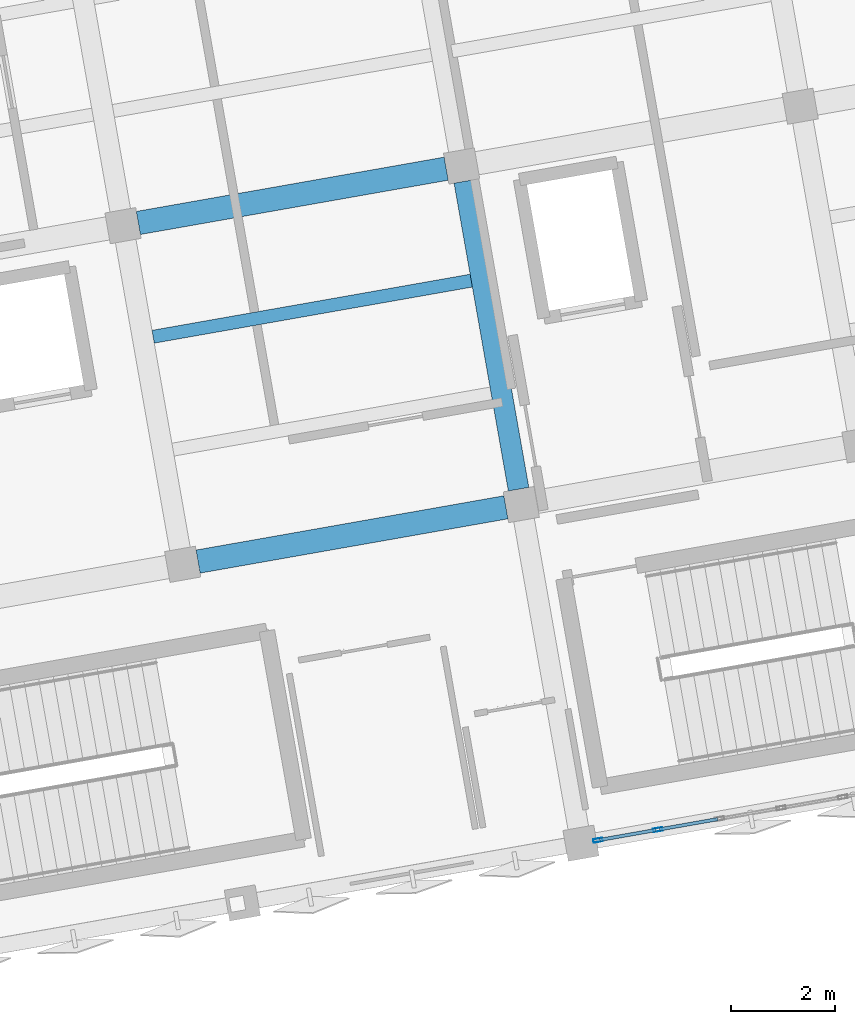
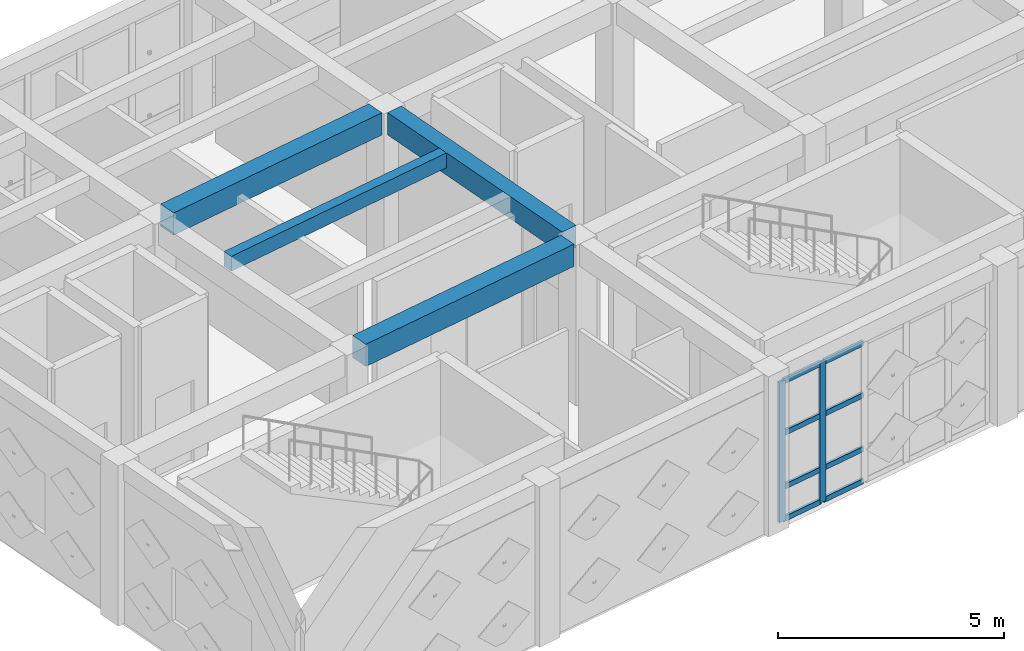
# One storey, part 3 of 36: 10 members, 4 beams, 1 element without a shape of its own.
"""IFC4 building model written with IfcOpenShell, lengths in metres."""

from ifc_helpers import new_model, si_unit, direction, frame, origin, origin_2d, place, context, subcontext, project, spatial, rectangle, hollow_rectangle, extrude, material, layer, layer_set, material_profile, profile_set, type_object, element, aggregate, save


model = new_model("IFC4")

# Units and contexts
model_context = context("Model", 3, precision=1e-05, world=origin(), true_north=direction((0.0, 1.0)))
body_context = subcontext(model_context, "Body", "Model", "MODEL_VIEW")
ifc_project = project(units=[si_unit("LENGTHUNIT", "METRE"), si_unit("AREAUNIT", "SQUARE_METRE"), si_unit("VOLUMEUNIT", "CUBIC_METRE"), si_unit("PLANEANGLEUNIT", "RADIAN"), si_unit("MASSUNIT", "GRAM", prefix="KILO")], contexts=[model_context])

# Site, building, storey
site_placement = place(None, origin())
site = spatial("IfcSite", under=ifc_project, at=site_placement, CompositionType="ELEMENT")
building_placement = place(site_placement, origin())
building = spatial("IfcBuilding", under=site, at=building_placement, Name="Kharisveld Research Institute", CompositionType="ELEMENT")
storey_placement = place(building_placement, frame((0.0, 0.0, 27.60009765625)))
storey = spatial("IfcBuildingStorey", under=building, at=storey_placement, Name="L06", CompositionType="ELEMENT", Elevation=27.60009765625)

# Beams
ifc_material_1 = material(Name="Concrete C40/50", Category="concrete")
ifc_material_profile_1 = material_profile(ifc_material_1, rectangle(XDim=0.39990234375, YDim=0.60009765625, at=origin_2d()))
ifc_profile_set_1 = profile_set([ifc_material_profile_1], Name="Concrete C40/50")
beam_type_1 = type_object("IfcBeamType", Name="BM_RC_400x600", PredefinedType="BEAM", material=ifc_profile_set_1)
beam_1_placement = place(storey_placement, frame((17.001220703125, 44.097412109375, 4.02001953125), z_axis=(-0.173629803561, 0.984810992686, 0.0), x_axis=(-0.984810992686, -0.173629803561, 0.0)))
element("IfcBeam", 1, at=beam_1_placement, inside=storey, type_object=beam_type_1, Name="BM:V1:L06:V2_1", PredefinedType="BEAM", context=body_context, shape_type="SweptSolid", body=[
    extrude(rectangle(XDim=0.39990234375, YDim=0.60009765625, at=origin_2d()), origin(), (0.0, 0.0, 1.0), 5.999755859375),
])
ifc_material_2 = material(Name="Concrete C40/50", Category="concrete")
ifc_material_profile_2 = material_profile(ifc_material_2, rectangle(XDim=0.449951171875, YDim=0.60009765625, at=origin_2d()))
ifc_profile_set_2 = profile_set([ifc_material_profile_2], Name="Concrete C40/50")
beam_type_2 = type_object("IfcBeamType", Name="BM_RC_450x600", PredefinedType="BEAM", material=ifc_profile_set_2)
beam_2_placement = place(storey_placement, frame((10.84912109375, 42.7080078125, 4.02001953125), z_axis=(0.984812219346, 0.173622845926, 0.0), x_axis=(-0.173622845926, 0.984812219346, 0.0)))
element("IfcBeam", 2, at=beam_2_placement, inside=storey, type_object=beam_type_2, Name="BM:V1:L06:U1_1", PredefinedType="BEAM", context=body_context, shape_type="SweptSolid", body=[
    extrude(rectangle(XDim=0.449951171875, YDim=0.60009765625, at=origin_2d()), origin(), (0.0, 0.0, 1.0), 6.0),
])
beam_3_placement = place(storey_placement, frame((9.703125, 49.20751953125, 4.02001953125), z_axis=(0.984804034035, 0.173669267716, 0.0), x_axis=(-0.173669267716, 0.984804034035, 0.0)))
element("IfcBeam", 3, at=beam_3_placement, inside=storey, type_object=beam_type_2, Name="BM:V1:L06:U1_2", PredefinedType="BEAM", context=body_context, shape_type="SweptSolid", body=[
    extrude(rectangle(XDim=0.449951171875, YDim=0.60009765625, at=origin_2d()), origin(), (0.0, 0.0, 1.0), 5.999755859375),
])

# Curtain wall, members
ifc_material_3 = material(Name="Thermally Broken Aluminium Curtain Wall", Category="aluminium")
ifc_layer = layer(ifc_material_3, 0.159912109375)
ifc_layer_set = layer_set([ifc_layer], Name="CW_SYS_01")
curtain_wall_type = type_object("IfcCurtainWallType", Name="CW_SYS_01", PredefinedType="NOTDEFINED", material=ifc_layer_set)
curtain_wall_placement = place(storey_placement, origin())
curtain_wall = element("IfcCurtainWall", 4, at=curtain_wall_placement, inside=storey, type_object=curtain_wall_type, Name="CW:V1:L06:S3", PredefinedType="NOTDEFINED")
ifc_material_4 = material(Name="Anodised Aluminium AW-6063-T6", Category="aluminium")
ifc_material_profile_3 = material_profile(ifc_material_4, hollow_rectangle(XDim=0.070068359375, YDim=0.179931640625, WallThickness=0.00439453125, at=origin_2d()))
ifc_profile_set_3 = profile_set([ifc_material_profile_3], Name="Anodised Aluminium AW-6063-T6")
member_type_1 = type_object("IfcMemberType", Name="CW_MUL_180", PredefinedType="MULLION", material=ifc_profile_set_3)
member_1_placement = place(storey_placement, frame((19.673828125, 37.56201171875, 0.0), z_axis=(0.0, 0.0, 1.0), x_axis=(0.173648210685, -0.98480774719, 0.0)))
member_1 = element("IfcMember", 5, at=member_1_placement, type_object=member_type_1, Name="CW-01 mullion 5", PredefinedType="MULLION", context=body_context, shape_type="SweptSolid", body=[
    extrude(hollow_rectangle(XDim=0.070068359375, YDim=0.179931640625, WallThickness=0.00439453125, at=origin_2d()), origin(), (0.0, 0.0, 1.0), 3.77978515625),
])
member_2_placement = place(storey_placement, frame((18.5244140625, 37.359375, 0.0), z_axis=(0.0, 0.0, 1.0), x_axis=(0.173648210685, -0.98480774719, 0.0)))
member_2 = element("IfcMember", 6, at=member_2_placement, type_object=member_type_1, Name="CW-01 mullion 6", PredefinedType="MULLION", context=body_context, shape_type="SweptSolid", body=[
    extrude(hollow_rectangle(XDim=0.070068359375, YDim=0.179931640625, WallThickness=0.00439453125, at=origin_2d()), origin(), (0.0, 0.0, 1.0), 3.77978515625),
])
ifc_material_5 = material(Name="Anodised Aluminium AW-6063-T6", Category="aluminium")
ifc_material_profile_4 = material_profile(ifc_material_5, hollow_rectangle(XDim=0.06494140625, YDim=0.139892578125, WallThickness=0.00390625, at=origin_2d()))
ifc_profile_set_4 = profile_set([ifc_material_profile_4], Name="Anodised Aluminium AW-6063-T6")
member_type_2 = type_object("IfcMemberType", Name="CW_TRN_140", PredefinedType="USERDEFINED", material=ifc_profile_set_4)
member_3_placement = place(storey_placement, frame((20.822998046875, 37.7646484375, 0.032470703125), z_axis=(-0.984811772889, -0.173625378269, 0.0), x_axis=(0.173625378269, -0.984811772889, 0.0)))
member_3 = element("IfcMember", 7, at=member_3_placement, type_object=member_type_2, Name="CW-01 transom 4.1", ObjectType="TRANSOM", PredefinedType="USERDEFINED", context=body_context, shape_type="SweptSolid", body=[
    extrude(hollow_rectangle(XDim=0.06494140625, YDim=0.139892578125, WallThickness=0.00390625, at=origin_2d()), origin(), (0.0, 0.0, 1.0), 1.1318359375),
])
member_4_placement = place(storey_placement, frame((20.822998046875, 37.7646484375, 0.89990234375), z_axis=(-0.984811772889, -0.173625378269, 0.0), x_axis=(0.173625378269, -0.984811772889, 0.0)))
member_4 = element("IfcMember", 8, at=member_4_placement, type_object=member_type_2, Name="CW-01 transom 4.2", ObjectType="TRANSOM", PredefinedType="USERDEFINED", context=body_context, shape_type="SweptSolid", body=[
    extrude(hollow_rectangle(XDim=0.06494140625, YDim=0.139892578125, WallThickness=0.00390625, at=origin_2d()), origin(), (0.0, 0.0, 1.0), 1.1318359375),
])
member_5_placement = place(storey_placement, frame((20.822998046875, 37.7646484375, 2.349853515625), z_axis=(-0.984811772889, -0.173625378269, 0.0), x_axis=(0.173625378269, -0.984811772889, 0.0)))
member_5 = element("IfcMember", 9, at=member_5_placement, type_object=member_type_2, Name="CW-01 transom 4.3", ObjectType="TRANSOM", PredefinedType="USERDEFINED", context=body_context, shape_type="SweptSolid", body=[
    extrude(hollow_rectangle(XDim=0.06494140625, YDim=0.139892578125, WallThickness=0.00390625, at=origin_2d()), origin(), (0.0, 0.0, 1.0), 1.1318359375),
])
member_6_placement = place(storey_placement, frame((20.822998046875, 37.7646484375, 3.747314453125), z_axis=(-0.984811772889, -0.173625378269, 0.0), x_axis=(0.173625378269, -0.984811772889, 0.0)))
member_6 = element("IfcMember", 10, at=member_6_placement, type_object=member_type_2, Name="CW-01 transom 4.4", ObjectType="TRANSOM", PredefinedType="USERDEFINED", context=body_context, shape_type="SweptSolid", body=[
    extrude(hollow_rectangle(XDim=0.06494140625, YDim=0.139892578125, WallThickness=0.00390625, at=origin_2d()), origin(), (0.0, 0.0, 1.0), 1.1318359375),
])
member_7_placement = place(storey_placement, frame((19.63916015625, 37.555908203125, 0.032470703125), z_axis=(-0.984817148087, -0.17359488712, 0.0), x_axis=(0.17359488712, -0.984817148087, 0.0)))
member_7 = element("IfcMember", 11, at=member_7_placement, type_object=member_type_2, Name="CW-01 transom 5.1", ObjectType="TRANSOM", PredefinedType="USERDEFINED", context=body_context, shape_type="SweptSolid", body=[
    extrude(hollow_rectangle(XDim=0.06494140625, YDim=0.139892578125, WallThickness=0.00390625, at=origin_2d()), origin(), (0.0, 0.0, 1.0), 1.096923828125),
])
member_8_placement = place(storey_placement, frame((19.63916015625, 37.555908203125, 0.89990234375), z_axis=(-0.984817148087, -0.17359488712, 0.0), x_axis=(0.17359488712, -0.984817148087, 0.0)))
member_8 = element("IfcMember", 12, at=member_8_placement, type_object=member_type_2, Name="CW-01 transom 5.2", ObjectType="TRANSOM", PredefinedType="USERDEFINED", context=body_context, shape_type="SweptSolid", body=[
    extrude(hollow_rectangle(XDim=0.06494140625, YDim=0.139892578125, WallThickness=0.00390625, at=origin_2d()), origin(), (0.0, 0.0, 1.0), 1.096923828125),
])
member_9_placement = place(storey_placement, frame((19.63916015625, 37.555908203125, 2.349853515625), z_axis=(-0.984817148087, -0.17359488712, 0.0), x_axis=(0.17359488712, -0.984817148087, 0.0)))
member_9 = element("IfcMember", 13, at=member_9_placement, type_object=member_type_2, Name="CW-01 transom 5.3", ObjectType="TRANSOM", PredefinedType="USERDEFINED", context=body_context, shape_type="SweptSolid", body=[
    extrude(hollow_rectangle(XDim=0.06494140625, YDim=0.139892578125, WallThickness=0.00390625, at=origin_2d()), origin(), (0.0, 0.0, 1.0), 1.096923828125),
])
member_10_placement = place(storey_placement, frame((19.63916015625, 37.555908203125, 3.747314453125), z_axis=(-0.984817148087, -0.17359488712, 0.0), x_axis=(0.17359488712, -0.984817148087, 0.0)))
member_10 = element("IfcMember", 14, at=member_10_placement, type_object=member_type_2, Name="CW-01 transom 5.4", ObjectType="TRANSOM", PredefinedType="USERDEFINED", context=body_context, shape_type="SweptSolid", body=[
    extrude(hollow_rectangle(XDim=0.06494140625, YDim=0.139892578125, WallThickness=0.00390625, at=origin_2d()), origin(), (0.0, 0.0, 1.0), 1.096923828125),
])
aggregate(curtain_wall, [member_1, member_2, member_3, member_4, member_5, member_6, member_7, member_8, member_9, member_10])

# Beam
ifc_material_6 = material(Name="Concrete C40/50", Category="concrete")
ifc_material_profile_5 = material_profile(ifc_material_6, rectangle(XDim=0.25, YDim=0.39990234375, at=origin_2d()))
ifc_profile_set_5 = profile_set([ifc_material_profile_5], Name="Concrete C40/50")
beam_type_3 = type_object("IfcBeamType", Name="WB_RC_250x400", PredefinedType="JOIST", material=ifc_profile_set_5)
beam_4_placement = place(storey_placement, frame((9.986572265625, 47.023681640625, 4.119873046875), z_axis=(0.984806146634, 0.173657287643, 0.0), x_axis=(-0.173657287643, 0.984806146634, 0.0)))
element("IfcBeam", 15, at=beam_4_placement, inside=storey, type_object=beam_type_3, Name="BM:V1:L06:J_1_1_R2", PredefinedType="JOIST", context=body_context, shape_type="SweptSolid", body=[
    extrude(rectangle(XDim=0.25, YDim=0.39990234375, at=origin_2d()), origin(), (0.0, 0.0, 1.0), 6.199951171875),
])

save(model, "model.ifc")
